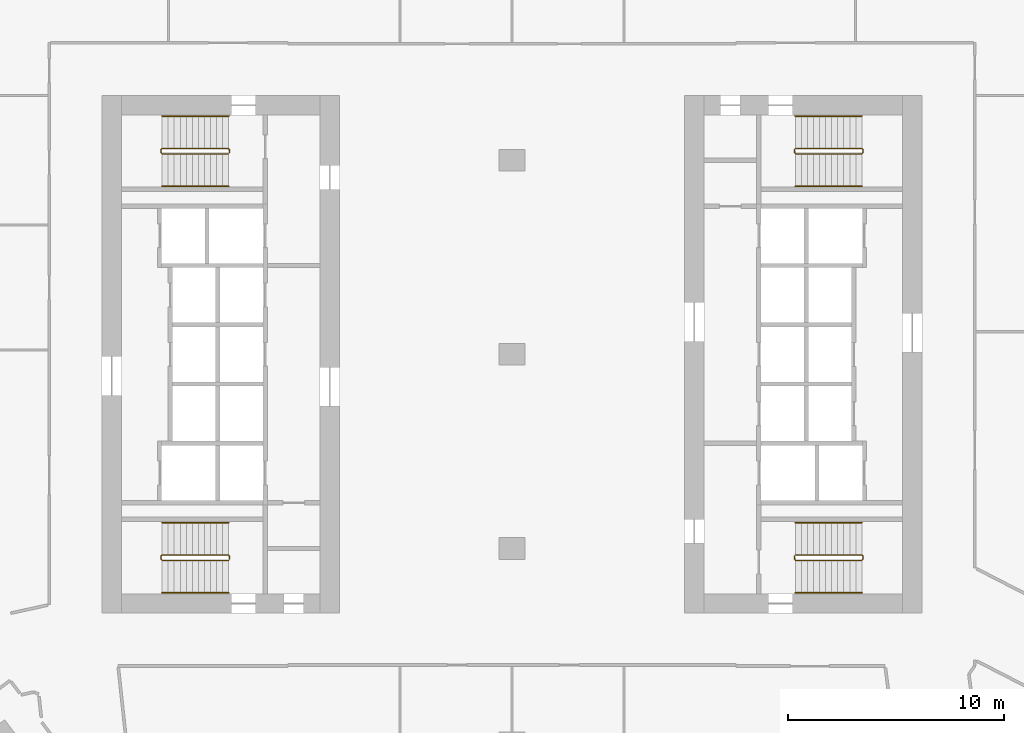
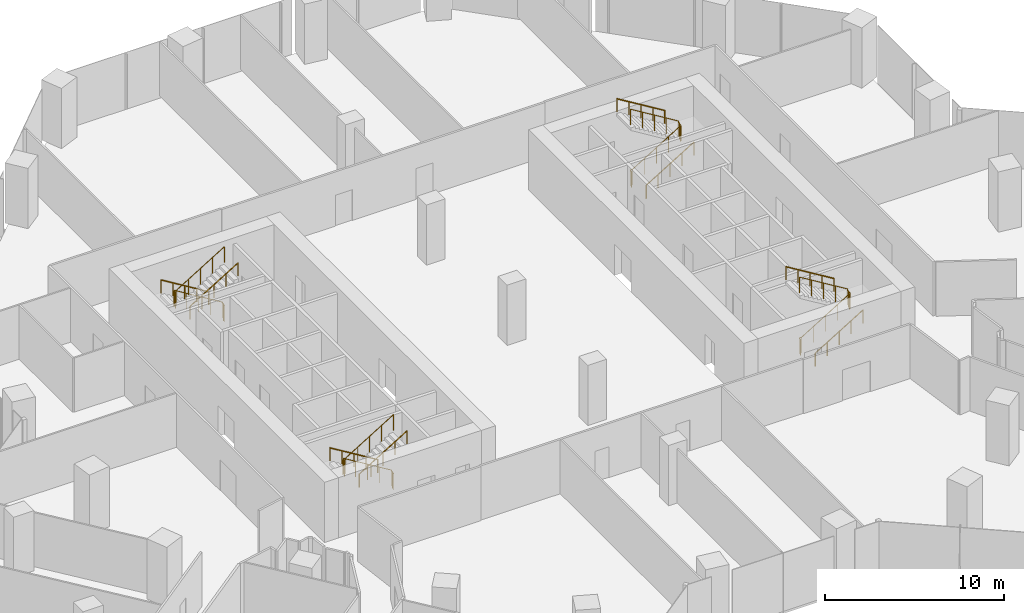
# One storey, part 28 of 29: 12 railings.
"""IFC4 building model written with IfcOpenShell, lengths in metres."""

from ifc_helpers import new_model, si_unit, direction, frame, origin, origin_2d, place, context, subcontext, project, spatial, circle, extrude, material, type_object, element, save


model = new_model("IFC4")

# Units and contexts
model_context = context("Model", 3, precision=1e-05, world=origin(), true_north=direction((0.0, 1.0)))
body_context = subcontext(model_context, "Body", "Model", "MODEL_VIEW")
ifc_project = project(units=[si_unit("LENGTHUNIT", "METRE"), si_unit("AREAUNIT", "SQUARE_METRE"), si_unit("VOLUMEUNIT", "CUBIC_METRE"), si_unit("PLANEANGLEUNIT", "RADIAN"), si_unit("MASSUNIT", "GRAM", prefix="KILO")], contexts=[model_context])

# Site, building, storey
site_placement = place(None, origin())
site = spatial("IfcSite", under=ifc_project, at=site_placement, CompositionType="ELEMENT")
building_placement = place(site_placement, origin())
building = spatial("IfcBuilding", under=site, at=building_placement, Name="Orlundy Tower", CompositionType="ELEMENT")
storey_placement = place(building_placement, frame((0.0, 0.0, 25.10009765625)))
storey = spatial("IfcBuildingStorey", under=building, at=storey_placement, Name="L04", CompositionType="ELEMENT", Elevation=25.10009765625)

# Railings
ifc_material_1 = material(Name="Steel balustrade", Category="steel")
railing_type_1 = type_object("IfcRailingType", Name="Stair Guard 1100", PredefinedType="GUARDRAIL", material=ifc_material_1)
railing_1_placement = place(storey_placement, frame((-13.090087890625, 9.5, 0.0)))
element("IfcRailing", 1, at=railing_1_placement, inside=storey, type_object=railing_type_1, Name="L04 ST-W1 stair guard 1", PredefinedType="GUARDRAIL", context=body_context, shape_type="SweptSolid", body=[
    extrude(circle(Radius=0.02392578125, at=origin_2d()), frame((0.0, 0.0, 1.076171875), z_axis=(0.0, -1.0, 0.0), x_axis=(1.0, 0.0, 0.0)), (0.0, 0.0, 1.0), 0.14990234375),
    extrude(circle(Radius=0.02392578125, at=origin_2d()), frame((0.0, -0.14990234375, 1.076171875), z_axis=(-0.186149828946, 0.747336813268, 0.637836913888), x_axis=(-0.970351222016, -0.241699205484, 0.0)), (0.0, 0.0, 1.0), 0.267578125),
    extrude(circle(Radius=0.02392578125, at=origin_2d()), frame((-0.0498046875, 0.050048828125, 1.24658203125), z_axis=(-0.853666305674, 0.0, 0.52082035152), x_axis=(0.0, -1.0, 0.0)), (0.0, 0.0, 1.0), 3.608154296875),
    extrude(circle(Radius=0.02392578125, at=origin_2d()), frame((-3.1298828125, 0.050048828125, 3.1259765625), z_axis=(-0.707106781187, -0.707106781187, 0.0), x_axis=(0.707106781187, -0.707106781187, 0.0)), (0.0, 0.0, 1.0), 0.07080078125),
    extrude(circle(Radius=0.02392578125, at=origin_2d()), frame((-3.179931640625, 0.0, 3.1259765625), z_axis=(0.0, -1.0, 0.0), x_axis=(1.0, 0.0, 0.0)), (0.0, 0.0, 1.0), 0.14990234375),
    extrude(circle(Radius=0.02392578125, at=origin_2d()), frame((-3.179931640625, -0.14990234375, 3.1259765625), z_axis=(0.270569600507, -0.270569600507, 0.923896196855), x_axis=(0.707106781187, 0.707106781187, 0.0)), (0.0, 0.0, 1.0), 0.18505859375),
    extrude(circle(Radius=0.02392578125, at=origin_2d()), frame((-3.1298828125, -0.199951171875, 3.296875), z_axis=(0.853666305674, 0.0, 0.52082035152), x_axis=(0.0, 1.0, 0.0)), (0.0, 0.0, 1.0), 3.608154296875),
    extrude(circle(Radius=0.02099609375, at=origin_2d()), origin(), (0.0, 0.0, 1.0), 1.052001953125),
    extrude(circle(Radius=0.02099609375, at=origin_2d()), frame((0.0, -0.14990234375, 0.0)), (0.0, 0.0, 1.0), 1.052001953125),
    extrude(circle(Radius=0.02099609375, at=origin_2d()), frame((-0.0498046875, 0.050048828125, 0.170654296875)), (0.0, 0.0, 1.0), 1.052001953125),
    extrude(circle(Radius=0.02099609375, at=origin_2d()), frame((-0.81982421875, 0.050048828125, 0.640380859375)), (0.0, 0.0, 1.0), 1.052001953125),
    extrude(circle(Radius=0.02099609375, at=origin_2d()), frame((-1.58984375, 0.050048828125, 1.1103515625)), (0.0, 0.0, 1.0), 1.052001953125),
    extrude(circle(Radius=0.02099609375, at=origin_2d()), frame((-2.35986328125, 0.050048828125, 1.580078125)), (0.0, 0.0, 1.0), 1.052001953125),
    extrude(circle(Radius=0.02099609375, at=origin_2d()), frame((-3.1298828125, 0.050048828125, 2.0498046875)), (0.0, 0.0, 1.0), 1.052001953125),
    extrude(circle(Radius=0.02099609375, at=origin_2d()), frame((-3.179931640625, 0.0, 2.0498046875)), (0.0, 0.0, 1.0), 1.052001953125),
    extrude(circle(Radius=0.02099609375, at=origin_2d()), frame((-3.179931640625, -0.14990234375, 2.0498046875)), (0.0, 0.0, 1.0), 1.052001953125),
    extrude(circle(Radius=0.02099609375, at=origin_2d()), frame((-3.1298828125, -0.199951171875, 2.220703125)), (0.0, 0.0, 1.0), 1.052001953125),
    extrude(circle(Radius=0.02099609375, at=origin_2d()), frame((-2.35986328125, -0.199951171875, 2.6904296875)), (0.0, 0.0, 1.0), 1.052001953125),
    extrude(circle(Radius=0.02099609375, at=origin_2d()), frame((-1.58984375, -0.199951171875, 3.16015625)), (0.0, 0.0, 1.0), 1.052001953125),
    extrude(circle(Radius=0.02099609375, at=origin_2d()), frame((-0.81982421875, -0.199951171875, 3.630126953125)), (0.0, 0.0, 1.0), 1.052001953125),
    extrude(circle(Radius=0.02099609375, at=origin_2d()), frame((-0.0498046875, -0.199951171875, 4.099853515625)), (0.0, 0.0, 1.0), 1.052001953125),
])
railing_2_placement = place(storey_placement, frame((-13.090087890625, -9.35009765625, 0.0)))
element("IfcRailing", 2, at=railing_2_placement, inside=storey, type_object=railing_type_1, Name="L04 ST-W2 stair guard 1", PredefinedType="GUARDRAIL", context=body_context, shape_type="SweptSolid", body=[
    extrude(circle(Radius=0.02392578125, at=origin_2d()), frame((0.0, 0.0, 1.076171875), z_axis=(0.0, -1.0, 0.0), x_axis=(1.0, 0.0, 0.0)), (0.0, 0.0, 1.0), 0.14990234375),
    extrude(circle(Radius=0.02392578125, at=origin_2d()), frame((0.0, -0.14990234375, 1.076171875), z_axis=(-0.186149828946, 0.747336813268, 0.637836913888), x_axis=(-0.970351222016, -0.241699205484, 0.0)), (0.0, 0.0, 1.0), 0.267578125),
    extrude(circle(Radius=0.02392578125, at=origin_2d()), frame((-0.0498046875, 0.050048828125, 1.24658203125), z_axis=(-0.853666305674, 0.0, 0.52082035152), x_axis=(0.0, -1.0, 0.0)), (0.0, 0.0, 1.0), 3.608154296875),
    extrude(circle(Radius=0.02392578125, at=origin_2d()), frame((-3.1298828125, 0.050048828125, 3.1259765625), z_axis=(-0.707106781187, -0.707106781187, 0.0), x_axis=(0.707106781187, -0.707106781187, 0.0)), (0.0, 0.0, 1.0), 0.07080078125),
    extrude(circle(Radius=0.02392578125, at=origin_2d()), frame((-3.179931640625, 0.0, 3.1259765625), z_axis=(0.0, -1.0, 0.0), x_axis=(1.0, 0.0, 0.0)), (0.0, 0.0, 1.0), 0.14990234375),
    extrude(circle(Radius=0.02392578125, at=origin_2d()), frame((-3.179931640625, -0.14990234375, 3.1259765625), z_axis=(0.270569600507, -0.270569600507, 0.923896196855), x_axis=(0.707106781187, 0.707106781187, 0.0)), (0.0, 0.0, 1.0), 0.18505859375),
    extrude(circle(Radius=0.02392578125, at=origin_2d()), frame((-3.1298828125, -0.199951171875, 3.296875), z_axis=(0.853666305674, 0.0, 0.52082035152), x_axis=(0.0, 1.0, 0.0)), (0.0, 0.0, 1.0), 3.608154296875),
    extrude(circle(Radius=0.02099609375, at=origin_2d()), origin(), (0.0, 0.0, 1.0), 1.052001953125),
    extrude(circle(Radius=0.02099609375, at=origin_2d()), frame((0.0, -0.14990234375, 0.0)), (0.0, 0.0, 1.0), 1.052001953125),
    extrude(circle(Radius=0.02099609375, at=origin_2d()), frame((-0.0498046875, 0.050048828125, 0.170654296875)), (0.0, 0.0, 1.0), 1.052001953125),
    extrude(circle(Radius=0.02099609375, at=origin_2d()), frame((-0.81982421875, 0.050048828125, 0.640380859375)), (0.0, 0.0, 1.0), 1.052001953125),
    extrude(circle(Radius=0.02099609375, at=origin_2d()), frame((-1.58984375, 0.050048828125, 1.1103515625)), (0.0, 0.0, 1.0), 1.052001953125),
    extrude(circle(Radius=0.02099609375, at=origin_2d()), frame((-2.35986328125, 0.050048828125, 1.580078125)), (0.0, 0.0, 1.0), 1.052001953125),
    extrude(circle(Radius=0.02099609375, at=origin_2d()), frame((-3.1298828125, 0.050048828125, 2.0498046875)), (0.0, 0.0, 1.0), 1.052001953125),
    extrude(circle(Radius=0.02099609375, at=origin_2d()), frame((-3.179931640625, 0.0, 2.0498046875)), (0.0, 0.0, 1.0), 1.052001953125),
    extrude(circle(Radius=0.02099609375, at=origin_2d()), frame((-3.179931640625, -0.14990234375, 2.0498046875)), (0.0, 0.0, 1.0), 1.052001953125),
    extrude(circle(Radius=0.02099609375, at=origin_2d()), frame((-3.1298828125, -0.199951171875, 2.220703125)), (0.0, 0.0, 1.0), 1.052001953125),
    extrude(circle(Radius=0.02099609375, at=origin_2d()), frame((-2.35986328125, -0.199951171875, 2.6904296875)), (0.0, 0.0, 1.0), 1.052001953125),
    extrude(circle(Radius=0.02099609375, at=origin_2d()), frame((-1.58984375, -0.199951171875, 3.16015625)), (0.0, 0.0, 1.0), 1.052001953125),
    extrude(circle(Radius=0.02099609375, at=origin_2d()), frame((-0.81982421875, -0.199951171875, 3.630126953125)), (0.0, 0.0, 1.0), 1.052001953125),
    extrude(circle(Radius=0.02099609375, at=origin_2d()), frame((-0.0498046875, -0.199951171875, 4.099853515625)), (0.0, 0.0, 1.0), 1.052001953125),
])
railing_3_placement = place(storey_placement, frame((13.090087890625, -9.5, 0.0)))
element("IfcRailing", 3, at=railing_3_placement, inside=storey, type_object=railing_type_1, Name="L04 ST-E1 stair guard 1", PredefinedType="GUARDRAIL", context=body_context, shape_type="SweptSolid", body=[
    extrude(circle(Radius=0.02392578125, at=origin_2d()), frame((0.0, 0.0, 1.076171875), z_axis=(0.0, 1.0, 0.0), x_axis=(-1.0, 0.0, 0.0)), (0.0, 0.0, 1.0), 0.14990234375),
    extrude(circle(Radius=0.02392578125, at=origin_2d()), frame((0.0, 0.14990234375, 1.076171875), z_axis=(0.186149828946, -0.747336813268, 0.637836913888), x_axis=(0.970351222016, 0.241699205484, 0.0)), (0.0, 0.0, 1.0), 0.267578125),
    extrude(circle(Radius=0.02392578125, at=origin_2d()), frame((0.0498046875, -0.050048828125, 1.24658203125), z_axis=(0.853666305674, 0.0, 0.52082035152), x_axis=(0.0, 1.0, 0.0)), (0.0, 0.0, 1.0), 3.608154296875),
    extrude(circle(Radius=0.02392578125, at=origin_2d()), frame((3.1298828125, -0.050048828125, 3.1259765625), z_axis=(0.707106781187, 0.707106781187, 0.0), x_axis=(-0.707106781187, 0.707106781187, 0.0)), (0.0, 0.0, 1.0), 0.07080078125),
    extrude(circle(Radius=0.02392578125, at=origin_2d()), frame((3.179931640625, 0.0, 3.1259765625), z_axis=(0.0, 1.0, 0.0), x_axis=(-1.0, 0.0, 0.0)), (0.0, 0.0, 1.0), 0.14990234375),
    extrude(circle(Radius=0.02392578125, at=origin_2d()), frame((3.179931640625, 0.14990234375, 3.1259765625), z_axis=(-0.270569600507, 0.270569600507, 0.923896196855), x_axis=(-0.707106781187, -0.707106781187, 0.0)), (0.0, 0.0, 1.0), 0.18505859375),
    extrude(circle(Radius=0.02392578125, at=origin_2d()), frame((3.1298828125, 0.199951171875, 3.296875), z_axis=(-0.853666305674, 0.0, 0.52082035152), x_axis=(0.0, -1.0, 0.0)), (0.0, 0.0, 1.0), 3.608154296875),
    extrude(circle(Radius=0.02099609375, at=origin_2d()), origin(), (0.0, 0.0, 1.0), 1.052001953125),
    extrude(circle(Radius=0.02099609375, at=origin_2d()), frame((0.0, 0.14990234375, 0.0)), (0.0, 0.0, 1.0), 1.052001953125),
    extrude(circle(Radius=0.02099609375, at=origin_2d()), frame((0.0498046875, -0.050048828125, 0.170654296875)), (0.0, 0.0, 1.0), 1.052001953125),
    extrude(circle(Radius=0.02099609375, at=origin_2d()), frame((0.81982421875, -0.050048828125, 0.640380859375)), (0.0, 0.0, 1.0), 1.052001953125),
    extrude(circle(Radius=0.02099609375, at=origin_2d()), frame((1.58984375, -0.050048828125, 1.1103515625)), (0.0, 0.0, 1.0), 1.052001953125),
    extrude(circle(Radius=0.02099609375, at=origin_2d()), frame((2.35986328125, -0.050048828125, 1.580078125)), (0.0, 0.0, 1.0), 1.052001953125),
    extrude(circle(Radius=0.02099609375, at=origin_2d()), frame((3.1298828125, -0.050048828125, 2.0498046875)), (0.0, 0.0, 1.0), 1.052001953125),
    extrude(circle(Radius=0.02099609375, at=origin_2d()), frame((3.179931640625, 0.0, 2.0498046875)), (0.0, 0.0, 1.0), 1.052001953125),
    extrude(circle(Radius=0.02099609375, at=origin_2d()), frame((3.179931640625, 0.14990234375, 2.0498046875)), (0.0, 0.0, 1.0), 1.052001953125),
    extrude(circle(Radius=0.02099609375, at=origin_2d()), frame((3.1298828125, 0.199951171875, 2.220703125)), (0.0, 0.0, 1.0), 1.052001953125),
    extrude(circle(Radius=0.02099609375, at=origin_2d()), frame((2.35986328125, 0.199951171875, 2.6904296875)), (0.0, 0.0, 1.0), 1.052001953125),
    extrude(circle(Radius=0.02099609375, at=origin_2d()), frame((1.58984375, 0.199951171875, 3.16015625)), (0.0, 0.0, 1.0), 1.052001953125),
    extrude(circle(Radius=0.02099609375, at=origin_2d()), frame((0.81982421875, 0.199951171875, 3.630126953125)), (0.0, 0.0, 1.0), 1.052001953125),
    extrude(circle(Radius=0.02099609375, at=origin_2d()), frame((0.0498046875, 0.199951171875, 4.099853515625)), (0.0, 0.0, 1.0), 1.052001953125),
])
railing_4_placement = place(storey_placement, frame((13.090087890625, 9.35009765625, 0.0)))
element("IfcRailing", 4, at=railing_4_placement, inside=storey, type_object=railing_type_1, Name="L04 ST-E2 stair guard 1", PredefinedType="GUARDRAIL", context=body_context, shape_type="SweptSolid", body=[
    extrude(circle(Radius=0.02392578125, at=origin_2d()), frame((0.0, 0.0, 1.076171875), z_axis=(0.0, 1.0, 0.0), x_axis=(-1.0, 0.0, 0.0)), (0.0, 0.0, 1.0), 0.14990234375),
    extrude(circle(Radius=0.02392578125, at=origin_2d()), frame((0.0, 0.14990234375, 1.076171875), z_axis=(0.186149828946, -0.747336813268, 0.637836913888), x_axis=(0.970351222016, 0.241699205484, 0.0)), (0.0, 0.0, 1.0), 0.267578125),
    extrude(circle(Radius=0.02392578125, at=origin_2d()), frame((0.0498046875, -0.050048828125, 1.24658203125), z_axis=(0.853666305674, 0.0, 0.52082035152), x_axis=(0.0, 1.0, 0.0)), (0.0, 0.0, 1.0), 3.608154296875),
    extrude(circle(Radius=0.02392578125, at=origin_2d()), frame((3.1298828125, -0.050048828125, 3.1259765625), z_axis=(0.707106781187, 0.707106781187, 0.0), x_axis=(-0.707106781187, 0.707106781187, 0.0)), (0.0, 0.0, 1.0), 0.07080078125),
    extrude(circle(Radius=0.02392578125, at=origin_2d()), frame((3.179931640625, 0.0, 3.1259765625), z_axis=(0.0, 1.0, 0.0), x_axis=(-1.0, 0.0, 0.0)), (0.0, 0.0, 1.0), 0.14990234375),
    extrude(circle(Radius=0.02392578125, at=origin_2d()), frame((3.179931640625, 0.14990234375, 3.1259765625), z_axis=(-0.270569600507, 0.270569600507, 0.923896196855), x_axis=(-0.707106781187, -0.707106781187, 0.0)), (0.0, 0.0, 1.0), 0.18505859375),
    extrude(circle(Radius=0.02392578125, at=origin_2d()), frame((3.1298828125, 0.199951171875, 3.296875), z_axis=(-0.853666305674, 0.0, 0.52082035152), x_axis=(0.0, -1.0, 0.0)), (0.0, 0.0, 1.0), 3.608154296875),
    extrude(circle(Radius=0.02099609375, at=origin_2d()), origin(), (0.0, 0.0, 1.0), 1.052001953125),
    extrude(circle(Radius=0.02099609375, at=origin_2d()), frame((0.0, 0.14990234375, 0.0)), (0.0, 0.0, 1.0), 1.052001953125),
    extrude(circle(Radius=0.02099609375, at=origin_2d()), frame((0.0498046875, -0.050048828125, 0.170654296875)), (0.0, 0.0, 1.0), 1.052001953125),
    extrude(circle(Radius=0.02099609375, at=origin_2d()), frame((0.81982421875, -0.050048828125, 0.640380859375)), (0.0, 0.0, 1.0), 1.052001953125),
    extrude(circle(Radius=0.02099609375, at=origin_2d()), frame((1.58984375, -0.050048828125, 1.1103515625)), (0.0, 0.0, 1.0), 1.052001953125),
    extrude(circle(Radius=0.02099609375, at=origin_2d()), frame((2.35986328125, -0.050048828125, 1.580078125)), (0.0, 0.0, 1.0), 1.052001953125),
    extrude(circle(Radius=0.02099609375, at=origin_2d()), frame((3.1298828125, -0.050048828125, 2.0498046875)), (0.0, 0.0, 1.0), 1.052001953125),
    extrude(circle(Radius=0.02099609375, at=origin_2d()), frame((3.179931640625, 0.0, 2.0498046875)), (0.0, 0.0, 1.0), 1.052001953125),
    extrude(circle(Radius=0.02099609375, at=origin_2d()), frame((3.179931640625, 0.14990234375, 2.0498046875)), (0.0, 0.0, 1.0), 1.052001953125),
    extrude(circle(Radius=0.02099609375, at=origin_2d()), frame((3.1298828125, 0.199951171875, 2.220703125)), (0.0, 0.0, 1.0), 1.052001953125),
    extrude(circle(Radius=0.02099609375, at=origin_2d()), frame((2.35986328125, 0.199951171875, 2.6904296875)), (0.0, 0.0, 1.0), 1.052001953125),
    extrude(circle(Radius=0.02099609375, at=origin_2d()), frame((1.58984375, 0.199951171875, 3.16015625)), (0.0, 0.0, 1.0), 1.052001953125),
    extrude(circle(Radius=0.02099609375, at=origin_2d()), frame((0.81982421875, 0.199951171875, 3.630126953125)), (0.0, 0.0, 1.0), 1.052001953125),
    extrude(circle(Radius=0.02099609375, at=origin_2d()), frame((0.0498046875, 0.199951171875, 4.099853515625)), (0.0, 0.0, 1.0), 1.052001953125),
])
ifc_material_2 = material(Name="Steel handrail", Category="steel")
railing_type_2 = type_object("IfcRailingType", Name="Stair Handrail 900", PredefinedType="HANDRAIL", material=ifc_material_2)
railing_5_placement = place(storey_placement, frame((-13.139892578125, 11.050048828125, 0.170654296875)))
element("IfcRailing", 5, at=railing_5_placement, inside=storey, type_object=railing_type_2, Name="L04 ST-W1 stair handrail 1", PredefinedType="HANDRAIL", context=body_context, shape_type="SweptSolid", body=[
    extrude(circle(Radius=0.02392578125, at=origin_2d()), frame((0.0, 0.0, 0.8759765625), z_axis=(-0.853666305674, 0.0, 0.52082035152), x_axis=(0.0, -1.0, 0.0)), (0.0, 0.0, 1.0), 3.608154296875),
    extrude(circle(Radius=0.02099609375, at=origin_2d()), origin(), (0.0, 0.0, 1.0), 0.851806640625),
    extrude(circle(Radius=0.02099609375, at=origin_2d()), frame((-0.77001953125, 0.0, 0.4697265625)), (0.0, 0.0, 1.0), 0.851806640625),
    extrude(circle(Radius=0.02099609375, at=origin_2d()), frame((-1.5400390625, 0.0, 0.939453125)), (0.0, 0.0, 1.0), 0.851806640625),
    extrude(circle(Radius=0.02099609375, at=origin_2d()), frame((-2.31005859375, 0.0, 1.409423828125)), (0.0, 0.0, 1.0), 0.851806640625),
    extrude(circle(Radius=0.02099609375, at=origin_2d()), frame((-3.080078125, 0.0, 1.879150390625)), (0.0, 0.0, 1.0), 0.851806640625),
])
railing_6_placement = place(storey_placement, frame((-16.219970703125, 7.800048828125, 2.220703125)))
element("IfcRailing", 6, at=railing_6_placement, inside=storey, type_object=railing_type_2, Name="L04 ST-W1 stair handrail 2", PredefinedType="HANDRAIL", context=body_context, shape_type="SweptSolid", body=[
    extrude(circle(Radius=0.02392578125, at=origin_2d()), frame((0.0, 0.0, 0.8759765625), z_axis=(0.853666305674, 0.0, 0.52082035152), x_axis=(0.0, 1.0, 0.0)), (0.0, 0.0, 1.0), 3.608154296875),
    extrude(circle(Radius=0.02099609375, at=origin_2d()), origin(), (0.0, 0.0, 1.0), 0.851806640625),
    extrude(circle(Radius=0.02099609375, at=origin_2d()), frame((0.77001953125, 0.0, 0.4697265625)), (0.0, 0.0, 1.0), 0.851806640625),
    extrude(circle(Radius=0.02099609375, at=origin_2d()), frame((1.5400390625, 0.0, 0.939453125)), (0.0, 0.0, 1.0), 0.851806640625),
    extrude(circle(Radius=0.02099609375, at=origin_2d()), frame((2.31005859375, 0.0, 1.409423828125)), (0.0, 0.0, 1.0), 0.851806640625),
    extrude(circle(Radius=0.02099609375, at=origin_2d()), frame((3.080078125, 0.0, 1.879150390625)), (0.0, 0.0, 1.0), 0.851806640625),
])
railing_7_placement = place(storey_placement, frame((-13.139892578125, -7.800048828125, 0.170654296875)))
element("IfcRailing", 7, at=railing_7_placement, inside=storey, type_object=railing_type_2, Name="L04 ST-W2 stair handrail 1", PredefinedType="HANDRAIL", context=body_context, shape_type="SweptSolid", body=[
    extrude(circle(Radius=0.02392578125, at=origin_2d()), frame((0.0, 0.0, 0.8759765625), z_axis=(-0.853666305674, 0.0, 0.52082035152), x_axis=(0.0, -1.0, 0.0)), (0.0, 0.0, 1.0), 3.608154296875),
    extrude(circle(Radius=0.02099609375, at=origin_2d()), origin(), (0.0, 0.0, 1.0), 0.851806640625),
    extrude(circle(Radius=0.02099609375, at=origin_2d()), frame((-0.77001953125, 0.0, 0.4697265625)), (0.0, 0.0, 1.0), 0.851806640625),
    extrude(circle(Radius=0.02099609375, at=origin_2d()), frame((-1.5400390625, 0.0, 0.939453125)), (0.0, 0.0, 1.0), 0.851806640625),
    extrude(circle(Radius=0.02099609375, at=origin_2d()), frame((-2.31005859375, 0.0, 1.409423828125)), (0.0, 0.0, 1.0), 0.851806640625),
    extrude(circle(Radius=0.02099609375, at=origin_2d()), frame((-3.080078125, 0.0, 1.879150390625)), (0.0, 0.0, 1.0), 0.851806640625),
])
for number, where, name in (
    (8, (-16.219970703125, -11.050048828125, 2.220703125), "L04 ST-W2 stair handrail 2"),
    (9, (13.139892578125, -11.050048828125, 0.170654296875), "L04 ST-E1 stair handrail 1"),
):
    element("IfcRailing", number, at=place(storey_placement, frame(where)), inside=storey, type_object=railing_type_2, Name=name, PredefinedType="HANDRAIL", context=body_context, shape_type="SweptSolid", body=[
        extrude(circle(Radius=0.02392578125, at=origin_2d()), frame((0.0, 0.0, 0.8759765625), z_axis=(0.853666305674, 0.0, 0.52082035152), x_axis=(0.0, 1.0, 0.0)), (0.0, 0.0, 1.0), 3.608154296875),
        extrude(circle(Radius=0.02099609375, at=origin_2d()), origin(), (0.0, 0.0, 1.0), 0.851806640625),
        extrude(circle(Radius=0.02099609375, at=origin_2d()), frame((0.77001953125, 0.0, 0.4697265625)), (0.0, 0.0, 1.0), 0.851806640625),
        extrude(circle(Radius=0.02099609375, at=origin_2d()), frame((1.5400390625, 0.0, 0.939453125)), (0.0, 0.0, 1.0), 0.851806640625),
        extrude(circle(Radius=0.02099609375, at=origin_2d()), frame((2.31005859375, 0.0, 1.409423828125)), (0.0, 0.0, 1.0), 0.851806640625),
        extrude(circle(Radius=0.02099609375, at=origin_2d()), frame((3.080078125, 0.0, 1.879150390625)), (0.0, 0.0, 1.0), 0.851806640625),
    ])
railing_8_placement = place(storey_placement, frame((16.219970703125, -7.800048828125, 2.220703125)))
element("IfcRailing", 10, at=railing_8_placement, inside=storey, type_object=railing_type_2, Name="L04 ST-E1 stair handrail 2", PredefinedType="HANDRAIL", context=body_context, shape_type="SweptSolid", body=[
    extrude(circle(Radius=0.02392578125, at=origin_2d()), frame((0.0, 0.0, 0.8759765625), z_axis=(-0.853666305674, 0.0, 0.52082035152), x_axis=(0.0, -1.0, 0.0)), (0.0, 0.0, 1.0), 3.608154296875),
    extrude(circle(Radius=0.02099609375, at=origin_2d()), origin(), (0.0, 0.0, 1.0), 0.851806640625),
    extrude(circle(Radius=0.02099609375, at=origin_2d()), frame((-0.77001953125, 0.0, 0.4697265625)), (0.0, 0.0, 1.0), 0.851806640625),
    extrude(circle(Radius=0.02099609375, at=origin_2d()), frame((-1.5400390625, 0.0, 0.939453125)), (0.0, 0.0, 1.0), 0.851806640625),
    extrude(circle(Radius=0.02099609375, at=origin_2d()), frame((-2.31005859375, 0.0, 1.409423828125)), (0.0, 0.0, 1.0), 0.851806640625),
    extrude(circle(Radius=0.02099609375, at=origin_2d()), frame((-3.080078125, 0.0, 1.879150390625)), (0.0, 0.0, 1.0), 0.851806640625),
])
railing_9_placement = place(storey_placement, frame((13.139892578125, 7.800048828125, 0.170654296875)))
element("IfcRailing", 11, at=railing_9_placement, inside=storey, type_object=railing_type_2, Name="L04 ST-E2 stair handrail 1", PredefinedType="HANDRAIL", context=body_context, shape_type="SweptSolid", body=[
    extrude(circle(Radius=0.02392578125, at=origin_2d()), frame((0.0, 0.0, 0.8759765625), z_axis=(0.853666305674, 0.0, 0.52082035152), x_axis=(0.0, 1.0, 0.0)), (0.0, 0.0, 1.0), 3.608154296875),
    extrude(circle(Radius=0.02099609375, at=origin_2d()), origin(), (0.0, 0.0, 1.0), 0.851806640625),
    extrude(circle(Radius=0.02099609375, at=origin_2d()), frame((0.77001953125, 0.0, 0.4697265625)), (0.0, 0.0, 1.0), 0.851806640625),
    extrude(circle(Radius=0.02099609375, at=origin_2d()), frame((1.5400390625, 0.0, 0.939453125)), (0.0, 0.0, 1.0), 0.851806640625),
    extrude(circle(Radius=0.02099609375, at=origin_2d()), frame((2.31005859375, 0.0, 1.409423828125)), (0.0, 0.0, 1.0), 0.851806640625),
    extrude(circle(Radius=0.02099609375, at=origin_2d()), frame((3.080078125, 0.0, 1.879150390625)), (0.0, 0.0, 1.0), 0.851806640625),
])
railing_10_placement = place(storey_placement, frame((16.219970703125, 11.050048828125, 2.220703125)))
element("IfcRailing", 12, at=railing_10_placement, inside=storey, type_object=railing_type_2, Name="L04 ST-E2 stair handrail 2", PredefinedType="HANDRAIL", context=body_context, shape_type="SweptSolid", body=[
    extrude(circle(Radius=0.02392578125, at=origin_2d()), frame((0.0, 0.0, 0.8759765625), z_axis=(-0.853666305674, 0.0, 0.52082035152), x_axis=(0.0, -1.0, 0.0)), (0.0, 0.0, 1.0), 3.608154296875),
    extrude(circle(Radius=0.02099609375, at=origin_2d()), origin(), (0.0, 0.0, 1.0), 0.851806640625),
    extrude(circle(Radius=0.02099609375, at=origin_2d()), frame((-0.77001953125, 0.0, 0.4697265625)), (0.0, 0.0, 1.0), 0.851806640625),
    extrude(circle(Radius=0.02099609375, at=origin_2d()), frame((-1.5400390625, 0.0, 0.939453125)), (0.0, 0.0, 1.0), 0.851806640625),
    extrude(circle(Radius=0.02099609375, at=origin_2d()), frame((-2.31005859375, 0.0, 1.409423828125)), (0.0, 0.0, 1.0), 0.851806640625),
    extrude(circle(Radius=0.02099609375, at=origin_2d()), frame((-3.080078125, 0.0, 1.879150390625)), (0.0, 0.0, 1.0), 0.851806640625),
])

save(model, "model.ifc")
